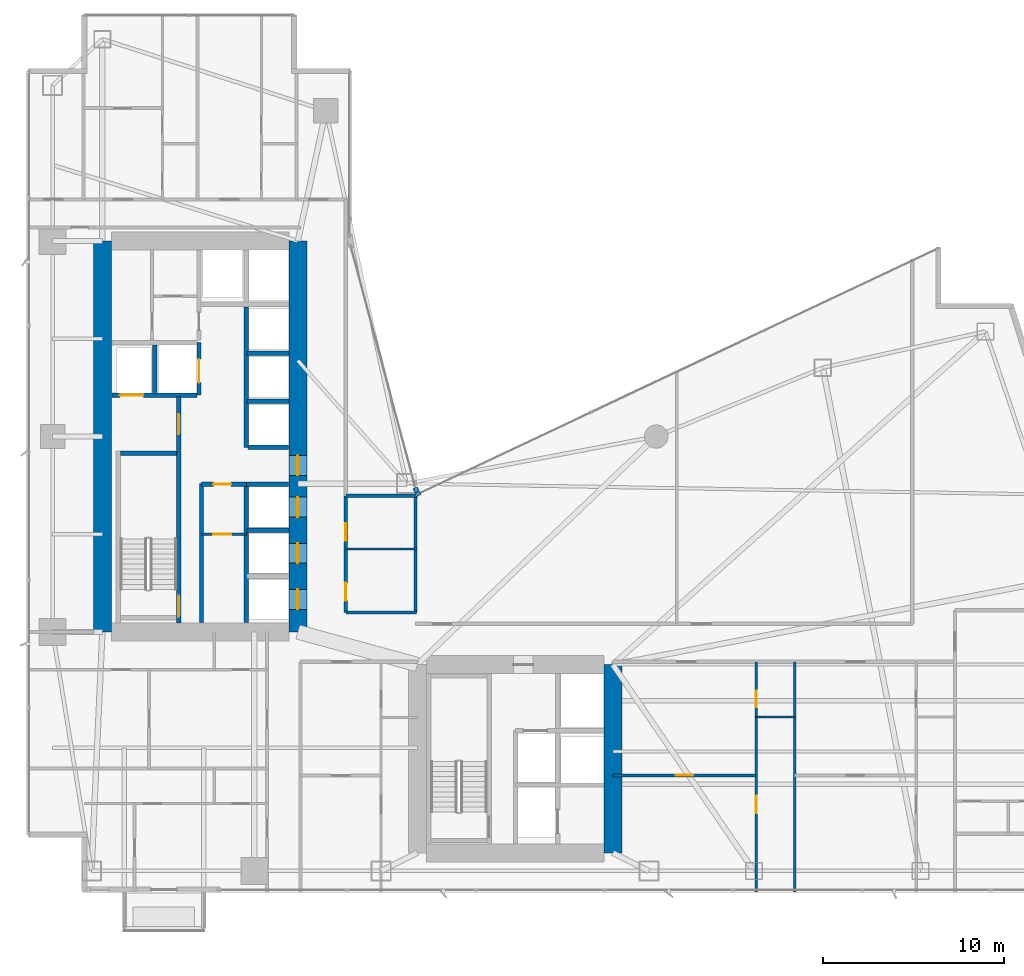
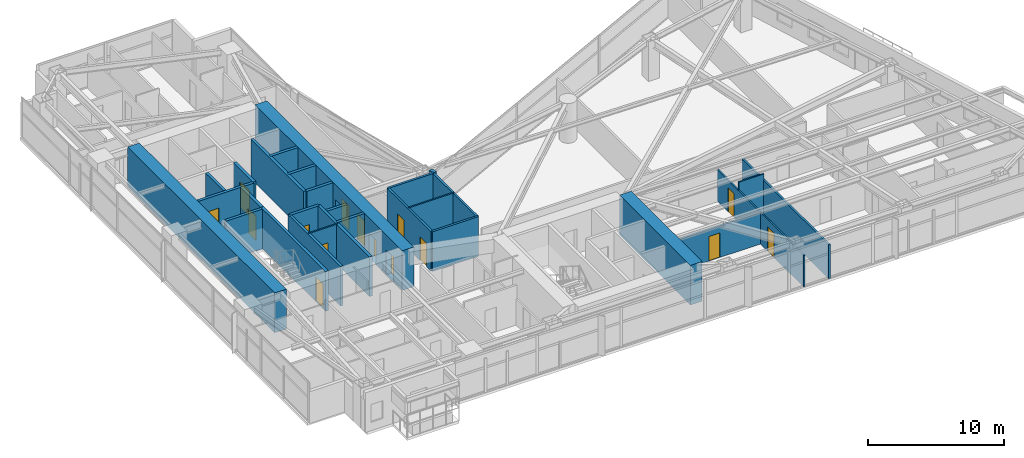
# One storey, part 23 of 29: 29 walls, 15 doors, 15 openings.
"""IFC4 building model written with IfcOpenShell, lengths in metres."""

from ifc_helpers import new_model, si_unit, direction, frame, frame_2d, origin, place, context, subcontext, project, spatial, rectangle, extrude, material, layer, layer_set, type_object, element, fill, save


model = new_model("IFC4")

# Units and contexts
model_context = context("Model", 3, precision=1e-05, world=origin(), true_north=direction((0.0, 1.0)))
body_context = subcontext(model_context, "Body", "Model", "MODEL_VIEW")
ifc_project = project(units=[si_unit("LENGTHUNIT", "METRE"), si_unit("AREAUNIT", "SQUARE_METRE"), si_unit("VOLUMEUNIT", "CUBIC_METRE"), si_unit("PLANEANGLEUNIT", "RADIAN"), si_unit("MASSUNIT", "GRAM", prefix="KILO")], contexts=[model_context])

# Site, building, storey
site_placement = place(None, origin())
site = spatial("IfcSite", under=ifc_project, at=site_placement, CompositionType="ELEMENT")
building_placement = place(site_placement, origin())
building = spatial("IfcBuilding", under=site, at=building_placement, Name="Calvorn Quay Hotel", CompositionType="ELEMENT")
storey_placement = place(building_placement, frame((0.0, 0.0, 69.800048828125)))
storey = spatial("IfcBuildingStorey", under=building, at=storey_placement, Name="L16", CompositionType="ELEMENT", Elevation=69.800048828125)

# Wall
ifc_material_1 = material(Name="Concrete C60", Category="concrete")
ifc_layer_1 = layer(ifc_material_1, 1.0)
ifc_layer_set_1 = layer_set([ifc_layer_1], Name="WL-CORE-1000")
wall_type_1 = type_object("IfcWallType", Name="WL-CORE-1000", PredefinedType="SHEAR", material=ifc_layer_set_1)
wall_1_placement = place(storey_placement, frame((4.199951171875, 16.800048828125, 0.0), z_axis=(0.0, 0.0, 1.0), x_axis=(0.0, 1.0, 0.0)))
element("IfcWall", 1, at=wall_1_placement, inside=storey, type_object=wall_type_1, Name="West Core Shear Wall W (L16)", PredefinedType="SHEAR", context=body_context, shape_type="SweptSolid", body=[
    extrude(rectangle(XDim=21.599853515625, YDim=1.0, at=frame_2d((10.7998046875, 0.0))), origin(), (0.0, 0.0, 1.0), 3.56005859375),
])

# Wall, openings, doors
wall_2_placement = place(storey_placement, frame((15.0, 16.800048828125, 0.0), z_axis=(0.0, 0.0, 1.0), x_axis=(0.0, 1.0, 0.0)))
wall_2 = element("IfcWall", 2, at=wall_2_placement, inside=storey, type_object=wall_type_1, Name="West Core Shear Wall E (L16)", PredefinedType="SHEAR", context=body_context, shape_type="SweptSolid", body=[
    extrude(rectangle(XDim=21.599853515625, YDim=1.0, at=frame_2d((10.7998046875, 0.0))), origin(), (0.0, 0.0, 1.0), 3.56005859375),
])
opening_1_placement = place(wall_2_placement, frame((8.64990234375, 0.0, 0.0)))
opening_1 = element("IfcOpeningElement", 3, at=opening_1_placement, cuts=wall_2, Name="Opening D-L16-CW1", PredefinedType="OPENING", context=body_context, shape_type="SweptSolid", body=[
    extrude(rectangle(XDim=1.10009765625, YDim=2.199951171875, at=frame_2d((0.550048828125, 1.10009765625))), frame((0.0, 0.510009765625, 0.0), z_axis=(0.0, -1.0, 0.0), x_axis=(1.0, 0.0, 0.0)), (0.0, 0.0, 1.0), 1.02001953125),
])
opening_2_placement = place(wall_2_placement, frame((1.25, 0.0, 0.0)))
opening_2 = element("IfcOpeningElement", 4, at=opening_2_placement, cuts=wall_2, Name="Opening LD-L16-L1", PredefinedType="OPENING", context=body_context, shape_type="SweptSolid", body=[
    extrude(rectangle(XDim=1.10009765625, YDim=2.199951171875, at=frame_2d((0.550048828125, 1.10009765625))), frame((0.0, 0.510009765625, 0.0), z_axis=(0.0, -1.0, 0.0), x_axis=(1.0, 0.0, 0.0)), (0.0, 0.0, 1.0), 1.02001953125),
])
opening_3_placement = place(wall_2_placement, frame((3.800048828125, 0.0, 0.0)))
opening_3 = element("IfcOpeningElement", 5, at=opening_3_placement, cuts=wall_2, Name="Opening LD-L16-L2", PredefinedType="OPENING", context=body_context, shape_type="SweptSolid", body=[
    extrude(rectangle(XDim=1.10009765625, YDim=2.199951171875, at=frame_2d((0.550048828125, 1.10009765625))), frame((0.0, 0.510009765625, 0.0), z_axis=(0.0, -1.0, 0.0), x_axis=(1.0, 0.0, 0.0)), (0.0, 0.0, 1.0), 1.02001953125),
])
opening_4_placement = place(wall_2_placement, frame((6.35009765625, 0.0, 0.0)))
opening_4 = element("IfcOpeningElement", 6, at=opening_4_placement, cuts=wall_2, Name="Opening LD-L16-L3", PredefinedType="OPENING", context=body_context, shape_type="SweptSolid", body=[
    extrude(rectangle(XDim=1.10009765625, YDim=2.199951171875, at=frame_2d((0.550048828125, 1.10009765625))), frame((0.0, 0.510009765625, 0.0), z_axis=(0.0, -1.0, 0.0), x_axis=(1.0, 0.0, 0.0)), (0.0, 0.0, 1.0), 1.02001953125),
])
ifc_material_2 = material(Name="Smoke-Sealed Steel Class A Fire Door", Category="steel")
door_type_1 = type_object("IfcDoorType", Name="DR-FFLOBBY-1100", OperationType="NOTDEFINED", PredefinedType="DOOR", material=ifc_material_2)
door_1_placement = place(opening_1_placement, origin())
door_1 = element("IfcDoor", 7, at=door_1_placement, inside=storey, type_object=door_type_1, Name="West Core Vestibule Fire Door (L16)", OperationType="SINGLE_SWING_LEFT", OverallHeight=2.199951171875, OverallWidth=1.10009765625, PredefinedType="DOOR", context=body_context, shape_type="SweptSolid", body=[
    extrude(rectangle(XDim=1.10009765625, YDim=2.199951171875, at=frame_2d((0.550048828125, 1.10009765625))), frame((0.0, 0.02490234375, 0.0), z_axis=(0.0, -1.0, 0.0), x_axis=(1.0, 0.0, 0.0)), (0.0, 0.0, 1.0), 0.050048828125),
])
fill(opening_1, door_1)
ifc_material_3 = material(Name="Brushed Stainless Steel Sliding Lift Landing Door", Category="steel")
door_type_2 = type_object("IfcDoorType", Name="DR-LIFT-PASS-1100", OperationType="NOTDEFINED", PredefinedType="DOOR", material=ifc_material_3)
door_2_placement = place(opening_2_placement, origin())
door_2 = element("IfcDoor", 8, at=door_2_placement, inside=storey, type_object=door_type_2, Name="Low-Rise Lift PL-L1 Landing Door (L16)", OperationType="DOUBLE_DOOR_SLIDING", OverallHeight=2.199951171875, OverallWidth=1.10009765625, PredefinedType="DOOR", context=body_context, shape_type="SweptSolid", body=[
    extrude(rectangle(XDim=1.10009765625, YDim=2.199951171875, at=frame_2d((0.550048828125, 1.10009765625))), frame((0.0, 0.02490234375, 0.0), z_axis=(0.0, -1.0, 0.0), x_axis=(1.0, 0.0, 0.0)), (0.0, 0.0, 1.0), 0.050048828125),
])
fill(opening_2, door_2)
door_3_placement = place(opening_3_placement, origin())
door_3 = element("IfcDoor", 9, at=door_3_placement, inside=storey, type_object=door_type_2, Name="Low-Rise Lift PL-L2 Landing Door (L16)", OperationType="DOUBLE_DOOR_SLIDING", OverallHeight=2.199951171875, OverallWidth=1.10009765625, PredefinedType="DOOR", context=body_context, shape_type="SweptSolid", body=[
    extrude(rectangle(XDim=1.10009765625, YDim=2.199951171875, at=frame_2d((0.550048828125, 1.10009765625))), frame((0.0, 0.02490234375, 0.0), z_axis=(0.0, -1.0, 0.0), x_axis=(1.0, 0.0, 0.0)), (0.0, 0.0, 1.0), 0.050048828125),
])
fill(opening_3, door_3)
door_4_placement = place(opening_4_placement, origin())
door_4 = element("IfcDoor", 10, at=door_4_placement, inside=storey, type_object=door_type_2, Name="Low-Rise Lift PL-L3 Landing Door (L16)", OperationType="DOUBLE_DOOR_SLIDING", OverallHeight=2.199951171875, OverallWidth=1.10009765625, PredefinedType="DOOR", context=body_context, shape_type="SweptSolid", body=[
    extrude(rectangle(XDim=1.10009765625, YDim=2.199951171875, at=frame_2d((0.550048828125, 1.10009765625))), frame((0.0, 0.02490234375, 0.0), z_axis=(0.0, -1.0, 0.0), x_axis=(1.0, 0.0, 0.0)), (0.0, 0.0, 1.0), 0.050048828125),
])
fill(opening_4, door_4)

# Walls
wall_3_placement = place(storey_placement, frame((32.39990234375, 4.60009765625, 0.0), z_axis=(0.0, 0.0, 1.0), x_axis=(0.0, 1.0, 0.0)))
element("IfcWall", 11, at=wall_3_placement, inside=storey, type_object=wall_type_1, Name="East Core Shear Wall E (L16)", PredefinedType="SHEAR", context=body_context, shape_type="SweptSolid", body=[
    extrude(rectangle(XDim=10.39990234375, YDim=1.0, at=frame_2d((5.199951171875, 0.0))), origin(), (0.0, 0.0, 1.0), 3.56005859375),
])
ifc_material_4 = material(Name="Acoustic Fireboard Steel-Stud Partition", Category="steel")
ifc_layer_2 = layer(ifc_material_4, 0.179931640625)
ifc_layer_set_2 = layer_set([ifc_layer_2], Name="WL-CORR-FIRE-180")
wall_type_2 = type_object("IfcWallType", Name="WL-CORR-FIRE-180", PredefinedType="PARTITIONING", material=ifc_layer_set_2)
wall_4_placement = place(storey_placement, frame((17.64990234375, 17.8798828125, 0.0), z_axis=(0.0, 0.0, 1.0), x_axis=(1.0, 0.0, 0.0)))
element("IfcWall", 12, at=wall_4_placement, inside=storey, type_object=wall_type_2, Name="Partition Wall L16-WL-HK-S", PredefinedType="PARTITIONING", context=body_context, shape_type="SweptSolid", body=[
    extrude(rectangle(XDim=3.900146484375, YDim=0.179931640625, at=frame_2d((1.9501953125, 0.0))), origin(), (0.0, 0.0, 1.0), 3.56005859375),
])
wall_5_placement = place(storey_placement, frame((17.64990234375, 24.320068359375, 0.0), z_axis=(0.0, 0.0, 1.0), x_axis=(1.0, 0.0, 0.0)))
element("IfcWall", 13, at=wall_5_placement, inside=storey, type_object=wall_type_2, Name="Partition Wall L16-WL-HK-N", PredefinedType="PARTITIONING", context=body_context, shape_type="SweptSolid", body=[
    extrude(rectangle(XDim=3.9501953125, YDim=0.179931640625, at=frame_2d((1.97509765625, 0.0))), origin(), (0.0, 0.0, 1.0), 3.56005859375),
])
wall_6_placement = place(storey_placement, frame((21.5, 17.8798828125, 0.0), z_axis=(0.0, 0.0, 1.0), x_axis=(0.0, 1.0, 0.0)))
element("IfcWall", 14, at=wall_6_placement, inside=storey, type_object=wall_type_2, Name="Partition Wall L16-WL-HK-E", PredefinedType="PARTITIONING", context=body_context, shape_type="SweptSolid", body=[
    extrude(rectangle(XDim=6.440185546875, YDim=0.179931640625, at=frame_2d((3.22021484375, 0.0))), origin(), (0.0, 0.0, 1.0), 3.56005859375),
])

# Wall, openings, doors
wall_7_placement = place(storey_placement, frame((17.64990234375, 17.8798828125, 0.0), z_axis=(0.0, 0.0, 1.0), x_axis=(0.0, 1.0, 0.0)))
wall_7 = element("IfcWall", 15, at=wall_7_placement, inside=storey, type_object=wall_type_2, Name="Partition Wall L16-WL-HK-W", PredefinedType="PARTITIONING", context=body_context, shape_type="SweptSolid", body=[
    extrude(rectangle(XDim=6.440185546875, YDim=0.179931640625, at=frame_2d((3.22021484375, 0.0))), origin(), (0.0, 0.0, 1.0), 3.56005859375),
])
opening_5_placement = place(wall_7_placement, frame((0.64990234375, 0.0, 0.0)))
opening_5 = element("IfcOpeningElement", 16, at=opening_5_placement, cuts=wall_7, Name="Opening D-L16-HK", PredefinedType="OPENING", context=body_context, shape_type="SweptSolid", body=[
    extrude(rectangle(XDim=0.97998046875, YDim=2.14990234375, at=frame_2d((0.489990234375, 1.074951171875))), frame((0.0, 0.099853515625, 0.0), z_axis=(0.0, -1.0, 0.0), x_axis=(1.0, 0.0, 0.0)), (0.0, 0.0, 1.0), 0.199951171875),
])
opening_6_placement = place(wall_7_placement, frame((3.969970703125, 0.0, 0.0)))
opening_6 = element("IfcOpeningElement", 17, at=opening_6_placement, cuts=wall_7, Name="Opening D-L16-NCP", PredefinedType="OPENING", context=body_context, shape_type="SweptSolid", body=[
    extrude(rectangle(XDim=0.9599609375, YDim=2.199951171875, at=frame_2d((0.47998046875, 1.10009765625))), frame((0.0, 0.099853515625, 0.0), z_axis=(0.0, -1.0, 0.0), x_axis=(1.0, 0.0, 0.0)), (0.0, 0.0, 1.0), 0.199951171875),
])
ifc_material_5 = material(Name="Painted Steel Housekeeping/Riser Fire Door", Category="steel")
door_type_3 = type_object("IfcDoorType", Name="DR-SERVICE-980", OperationType="NOTDEFINED", PredefinedType="DOOR", material=ifc_material_5)
door_5_placement = place(opening_5_placement, origin())
door_5 = element("IfcDoor", 18, at=door_5_placement, inside=storey, type_object=door_type_3, Name="Floor Housekeeping Door (L16)", OperationType="SINGLE_SWING_LEFT", OverallHeight=2.14990234375, OverallWidth=0.97998046875, PredefinedType="DOOR", context=body_context, shape_type="SweptSolid", body=[
    extrude(rectangle(XDim=0.97998046875, YDim=2.14990234375, at=frame_2d((0.489990234375, 1.074951171875))), frame((0.0, 0.02490234375, 0.0), z_axis=(0.0, -1.0, 0.0), x_axis=(1.0, 0.0, 0.0)), (0.0, 0.0, 1.0), 0.050048828125),
])
fill(opening_5, door_5)
ifc_material_6 = material(Name="Solid Timber Internal Suite Door", Category="wood")
door_type_4 = type_object("IfcDoorType", Name="DR-SUITE-INT-960", OperationType="NOTDEFINED", PredefinedType="DOOR", material=ifc_material_6)
door_6_placement = place(opening_6_placement, origin())
door_6 = element("IfcDoor", 19, at=door_6_placement, inside=storey, type_object=door_type_4, Name="Reading Alcove Door (L16)", OperationType="SINGLE_SWING_RIGHT", OverallHeight=2.199951171875, OverallWidth=0.9599609375, PredefinedType="DOOR", context=body_context, shape_type="SweptSolid", body=[
    extrude(rectangle(XDim=0.9599609375, YDim=2.199951171875, at=frame_2d((0.47998046875, 1.10009765625))), frame((0.0, 0.02490234375, 0.0), z_axis=(0.0, -1.0, 0.0), x_axis=(1.0, 0.0, 0.0)), (0.0, 0.0, 1.0), 0.050048828125),
])
fill(opening_6, door_6)

# Wall, opening, door
ifc_material_7 = material(Name="Moisture-Resistant Tile-Backed Partition")
ifc_layer_3 = layer(ifc_material_7, 0.125)
ifc_layer_set_3 = layer_set([ifc_layer_3], Name="WL-ENSUITE-125")
wall_type_3 = type_object("IfcWallType", Name="WL-ENSUITE-125", PredefinedType="PARTITIONING", material=ifc_layer_set_3)
wall_8_placement = place(storey_placement, frame((9.679931640625, 22.199951171875, 0.0), z_axis=(0.0, 0.0, 1.0), x_axis=(1.0, 0.0, 0.0)))
wall_8 = element("IfcWall", 20, at=wall_8_placement, inside=storey, type_object=wall_type_3, Name="Partition Wall L16-WL-CWW-SER-V", PredefinedType="PARTITIONING", context=body_context, shape_type="SweptSolid", body=[
    extrude(rectangle(XDim=2.469970703125, YDim=0.125, at=frame_2d((1.23486328125, 0.0))), origin(), (0.0, 0.0, 1.0), 3.56005859375),
])
opening_7_placement = place(wall_8_placement, frame((0.64990234375, 0.0, 0.0)))
opening_7 = element("IfcOpeningElement", 21, at=opening_7_placement, cuts=wall_8, Name="Opening D-L16-CSV", PredefinedType="OPENING", context=body_context, shape_type="SweptSolid", body=[
    extrude(rectangle(XDim=0.97998046875, YDim=2.14990234375, at=frame_2d((0.489990234375, 1.074951171875))), frame((0.0, 0.072509765625, 0.0), z_axis=(0.0, -1.0, 0.0), x_axis=(1.0, 0.0, 0.0)), (0.0, 0.0, 1.0), 0.14501953125),
])
door_7_placement = place(opening_7_placement, origin())
door_7 = element("IfcDoor", 22, at=door_7_placement, inside=storey, type_object=door_type_3, Name="Core Linen Closet Door (L16)", OperationType="SINGLE_SWING_RIGHT", OverallHeight=2.14990234375, OverallWidth=0.97998046875, PredefinedType="DOOR", context=body_context, shape_type="SweptSolid", body=[
    extrude(rectangle(XDim=0.97998046875, YDim=2.14990234375, at=frame_2d((0.489990234375, 1.074951171875))), frame((0.0, 0.02490234375, 0.0), z_axis=(0.0, -1.0, 0.0), x_axis=(1.0, 0.0, 0.0)), (0.0, 0.0, 1.0), 0.050048828125),
])
fill(opening_7, door_7)

# Walls
wall_9_placement = place(storey_placement, frame((17.64990234375, 21.3798828125, 0.0), z_axis=(0.0, 0.0, 1.0), x_axis=(1.0, 0.0, 0.0)))
element("IfcWall", 23, at=wall_9_placement, inside=storey, type_object=wall_type_3, Name="Partition Wall L16-WL-HK-M", PredefinedType="PARTITIONING", context=body_context, shape_type="SweptSolid", body=[
    extrude(rectangle(XDim=3.900146484375, YDim=0.125, at=frame_2d((1.9501953125, 0.0))), origin(), (0.0, 0.0, 1.0), 3.56005859375),
])
wall_10_placement = place(storey_placement, frame((40.320068359375, 12.10009765625, 0.0), z_axis=(0.0, 0.0, 1.0), x_axis=(1.0, 0.0, 0.0)))
element("IfcWall", 24, at=wall_10_placement, inside=storey, type_object=wall_type_3, Name="Partition Wall L16-WL-U06-BDV", PredefinedType="PARTITIONING", context=body_context, shape_type="SweptSolid", body=[
    extrude(rectangle(XDim=2.1298828125, YDim=0.125, at=frame_2d((1.06494140625, 0.0))), origin(), (0.0, 0.0, 1.0), 3.56005859375),
])

# Wall, openings, doors
wall_11_placement = place(storey_placement, frame((40.320068359375, 2.43994140625, 0.0), z_axis=(0.0, 0.0, 1.0), x_axis=(0.0, 1.0, 0.0)))
wall_11 = element("IfcWall", 25, at=wall_11_placement, inside=storey, type_object=wall_type_3, Name="Partition Wall L16-WL-U06-BV", PredefinedType="PARTITIONING", context=body_context, shape_type="SweptSolid", body=[
    extrude(rectangle(XDim=12.7099609375, YDim=0.125, at=frame_2d((6.35498046875, 0.0))), origin(), (0.0, 0.0, 1.0), 2.83984375),
])
opening_8_placement = place(wall_11_placement, frame((4.35009765625, 0.0, 0.0)))
opening_8 = element("IfcOpeningElement", 26, at=opening_8_placement, cuts=wall_11, Name="Opening D-L16-S06", PredefinedType="OPENING", context=body_context, shape_type="SweptSolid", body=[
    extrude(rectangle(XDim=0.9599609375, YDim=2.199951171875, at=frame_2d((0.47998046875, 1.10009765625))), frame((0.0, 0.072509765625, 0.0), z_axis=(0.0, -1.0, 0.0), x_axis=(1.0, 0.0, 0.0)), (0.0, 0.0, 1.0), 0.14501953125),
])
opening_9_placement = place(wall_11_placement, frame((10.2099609375, 0.0, 0.0)))
opening_9 = element("IfcOpeningElement", 27, at=opening_9_placement, cuts=wall_11, Name="Opening D-L16-E06", PredefinedType="OPENING", context=body_context, shape_type="SweptSolid", body=[
    extrude(rectangle(XDim=0.89990234375, YDim=2.14990234375, at=frame_2d((0.449951171875, 1.074951171875))), frame((0.0, 0.072509765625, 0.0), z_axis=(0.0, -1.0, 0.0), x_axis=(1.0, 0.0, 0.0)), (0.0, 0.0, 1.0), 0.14501953125),
])
ifc_material_8 = material(Name="Moisture-Sealed Timber En-Suite Door", Category="wood")
door_type_5 = type_object("IfcDoorType", Name="DR-ENSUITE-900", OperationType="NOTDEFINED", PredefinedType="DOOR", material=ifc_material_8)
door_8_placement = place(opening_9_placement, origin())
door_8 = element("IfcDoor", 28, at=door_8_placement, inside=storey, type_object=door_type_5, Name="En-Suite Door 06", OperationType="SINGLE_SWING_RIGHT", OverallHeight=2.14990234375, OverallWidth=0.89990234375, PredefinedType="DOOR", context=body_context, shape_type="SweptSolid", body=[
    extrude(rectangle(XDim=0.89990234375, YDim=2.14990234375, at=frame_2d((0.449951171875, 1.074951171875))), frame((0.0, 0.02490234375, 0.0), z_axis=(0.0, -1.0, 0.0), x_axis=(1.0, 0.0, 0.0)), (0.0, 0.0, 1.0), 0.050048828125),
])
fill(opening_9, door_8)
door_9_placement = place(opening_8_placement, origin())
door_9 = element("IfcDoor", 29, at=door_9_placement, inside=storey, type_object=door_type_4, Name="Spa Therapy Room Door 06", OperationType="SINGLE_SWING_LEFT", OverallHeight=2.199951171875, OverallWidth=0.9599609375, PredefinedType="DOOR", context=body_context, shape_type="SweptSolid", body=[
    extrude(rectangle(XDim=0.9599609375, YDim=2.199951171875, at=frame_2d((0.47998046875, 1.10009765625))), frame((0.0, 0.02490234375, 0.0), z_axis=(0.0, -1.0, 0.0), x_axis=(1.0, 0.0, 0.0)), (0.0, 0.0, 1.0), 0.050048828125),
])
fill(opening_8, door_9)

# Wall
ifc_material_9 = material(Name="Concrete C40", Category="concrete")
ifc_layer_4 = layer(ifc_material_9, 0.320068359375)
ifc_layer_set_4 = layer_set([ifc_layer_4], Name="WL-EXT-SPANDREL-320")
wall_type_4 = type_object("IfcWallType", Name="WL-EXT-SPANDREL-320", PredefinedType="SOLIDWALL", material=ifc_layer_set_4)
wall_12_placement = place(storey_placement, frame((21.679931640625, 24.340087890625, 0.0), z_axis=(0.0, 0.0, 1.0), x_axis=(-0.40758134973, 0.913168901875, 0.0)))
element("IfcWall", 30, at=wall_12_placement, inside=storey, type_object=wall_type_4, Name="Inner Court Corner Pier L16-ICJ1", PredefinedType="SOLIDWALL", context=body_context, shape_type="SweptSolid", body=[
    extrude(rectangle(XDim=0.470703125, YDim=0.280029296875, at=frame_2d((0.2353515625, 0.0))), origin(), (0.0, 0.0, 1.0), 3.56005859375),
])

# Wall, opening, door
ifc_material_10 = material(Name="Double-Stud Acoustic Gypsum Partition")
ifc_layer_5 = layer(ifc_material_10, 0.159912109375)
ifc_layer_set_5 = layer_set([ifc_layer_5], Name="WL-INTERSUITE-160")
wall_type_5 = type_object("IfcWallType", Name="WL-INTERSUITE-160", PredefinedType="PARTITIONING", material=ifc_layer_set_5)
wall_13_placement = place(storey_placement, frame((32.39990234375, 8.8798828125, 0.0), z_axis=(0.0, 0.0, 1.0), x_axis=(1.0, 0.0, 0.0)))
wall_13 = element("IfcWall", 31, at=wall_13_placement, inside=storey, type_object=wall_type_5, Name="Partition Wall L16-WL-U06-MSP", PredefinedType="PARTITIONING", context=body_context, shape_type="SweptSolid", body=[
    extrude(rectangle(XDim=7.920166015625, YDim=0.159912109375, at=frame_2d((3.9599609375, 0.0))), origin(), (0.0, 0.0, 1.0), 2.83984375),
])
opening_10_placement = place(wall_13_placement, frame((3.47998046875, 0.0, 0.0)))
opening_10 = element("IfcOpeningElement", 32, at=opening_10_placement, cuts=wall_13, Name="Opening D-L16-M06", PredefinedType="OPENING", context=body_context, shape_type="SweptSolid", body=[
    extrude(rectangle(XDim=0.9599609375, YDim=2.199951171875, at=frame_2d((0.47998046875, 1.10009765625))), frame((0.0, 0.08984375, 0.0), z_axis=(0.0, -1.0, 0.0), x_axis=(1.0, 0.0, 0.0)), (0.0, 0.0, 1.0), 0.179931640625),
])
door_10_placement = place(opening_10_placement, origin())
door_10 = element("IfcDoor", 33, at=door_10_placement, inside=storey, type_object=door_type_4, Name="Suite Bedroom Door 06", OperationType="SINGLE_SWING_LEFT", OverallHeight=2.199951171875, OverallWidth=0.9599609375, PredefinedType="DOOR", context=body_context, shape_type="SweptSolid", body=[
    extrude(rectangle(XDim=0.9599609375, YDim=2.199951171875, at=frame_2d((0.47998046875, 1.10009765625))), frame((0.0, 0.02490234375, 0.0), z_axis=(0.0, -1.0, 0.0), x_axis=(1.0, 0.0, 0.0)), (0.0, 0.0, 1.0), 0.050048828125),
])
fill(opening_10, door_10)

# Walls
wall_14_placement = place(storey_placement, frame((42.449951171875, 2.43994140625, 0.0), z_axis=(0.0, 0.0, 1.0), x_axis=(0.0, 1.0, 0.0)))
element("IfcWall", 34, at=wall_14_placement, inside=storey, type_object=wall_type_5, Name="Partition Wall L16-WL-SE-DIV-1", PredefinedType="PARTITIONING", context=body_context, shape_type="SweptSolid", body=[
    extrude(rectangle(XDim=12.7099609375, YDim=0.159912109375, at=frame_2d((6.35498046875, 0.0))), origin(), (0.0, 0.0, 1.0), 3.0400390625),
])
ifc_material_11 = material(Name="Autoclaved Aerated Masonry Block", Category="masonry")
ifc_layer_6 = layer(ifc_material_11, 0.219970703125)
ifc_layer_set_6 = layer_set([ifc_layer_6], Name="WL-LOBBY-FIRE-220")
wall_type_6 = type_object("IfcWallType", Name="WL-LOBBY-FIRE-220", PredefinedType="SOLIDWALL", material=ifc_layer_set_6)
wall_15_placement = place(storey_placement, frame((9.679931640625, 17.320068359375, 0.0), z_axis=(0.0, 0.0, 1.0), x_axis=(0.0, 1.0, 0.0)))
element("IfcWall", 35, at=wall_15_placement, inside=storey, type_object=wall_type_6, Name="Partition Wall L16-WL-CWW-STW-HALL-E", PredefinedType="SOLIDWALL", context=body_context, shape_type="SweptSolid", body=[
    extrude(rectangle(XDim=7.679931640625, YDim=0.219970703125, at=frame_2d((3.83984375, 0.0))), origin(), (0.0, 0.0, 1.0), 3.56005859375),
])

# Wall, opening, door
ifc_material_12 = material(Name="Concrete C40", Category="concrete")
ifc_layer_7 = layer(ifc_material_12, 0.239990234375)
ifc_layer_set_7 = layer_set([ifc_layer_7], Name="WL-SHAFT-240")
wall_type_7 = type_object("IfcWallType", Name="WL-SHAFT-240", PredefinedType="SOLIDWALL", material=ifc_layer_set_7)
wall_16_placement = place(storey_placement, frame((8.419921875, 17.300048828125, 0.0), z_axis=(0.0, 0.0, 1.0), x_axis=(0.0, 1.0, 0.0)))
wall_16 = element("IfcWall", 36, at=wall_16_placement, inside=storey, type_object=wall_type_7, Name="Stair STW Shaft Wall E (L16)", PredefinedType="SOLIDWALL", context=body_context, shape_type="SweptSolid", body=[
    extrude(rectangle(XDim=9.489990234375, YDim=0.239990234375, at=frame_2d((4.7451171875, 0.0))), origin(), (0.0, 0.0, 1.0), 3.56005859375),
])
opening_11_placement = place(wall_16_placement, frame((0.35009765625, 0.0, 0.0)))
opening_11 = element("IfcOpeningElement", 37, at=opening_11_placement, cuts=wall_16, Name="Opening D-L16-STW", PredefinedType="OPENING", context=body_context, shape_type="SweptSolid", body=[
    extrude(rectangle(XDim=1.14990234375, YDim=2.199951171875, at=frame_2d((0.574951171875, 1.10009765625))), frame((0.0, 0.1298828125, 0.0), z_axis=(0.0, -1.0, 0.0), x_axis=(1.0, 0.0, 0.0)), (0.0, 0.0, 1.0), 0.260009765625),
])
ifc_material_13 = material(Name="Galvanised Steel Class A Fire Door", Category="steel")
door_type_6 = type_object("IfcDoorType", Name="DR-STAIR-SMOKE-1150", OperationType="NOTDEFINED", PredefinedType="DOOR", material=ifc_material_13)
door_11_placement = place(opening_11_placement, origin())
door_11 = element("IfcDoor", 38, at=door_11_placement, inside=storey, type_object=door_type_6, Name="Stair ST-W Fire Door (L16)", OperationType="SINGLE_SWING_LEFT", OverallHeight=2.199951171875, OverallWidth=1.14990234375, PredefinedType="DOOR", context=body_context, shape_type="SweptSolid", body=[
    extrude(rectangle(XDim=1.14990234375, YDim=2.199951171875, at=frame_2d((0.574951171875, 1.10009765625))), frame((0.0, 0.02490234375, 0.0), z_axis=(0.0, -1.0, 0.0), x_axis=(1.0, 0.0, 0.0)), (0.0, 0.0, 1.0), 0.050048828125),
])
fill(opening_11, door_11)

# Walls
wall_17_placement = place(storey_placement, frame((5.199951171875, 26.669921875, 0.0), z_axis=(0.0, 0.0, 1.0), x_axis=(1.0, 0.0, 0.0)))
element("IfcWall", 39, at=wall_17_placement, inside=storey, type_object=wall_type_7, Name="Stair STW Shaft Wall N (L16)", PredefinedType="SOLIDWALL", context=body_context, shape_type="SweptSolid", body=[
    extrude(rectangle(XDim=3.10009765625, YDim=0.239990234375, at=frame_2d((1.550048828125, 0.0))), origin(), (0.0, 0.0, 1.0), 3.56005859375),
])
for number, where, z_axis, x_axis, name in (
    (40, (12.179931640625, 22.425048828125, 0.0), (0.0, 0.0, 1.0), (1.0, 0.0, 0.0), "Lift Hoistway Divider Wall PLL23 (L16)"),
    (41, (12.179931640625, 29.550048828125, 0.0), (0.0, 0.0, 1.0), (1.0, 0.0, 0.0), "Lift Hoistway Divider Wall PLM12 (L16)"),
    (42, (12.179931640625, 32.199951171875, 0.0), (0.0, 0.0, 1.0), (1.0, 0.0, 0.0), "Lift Hoistway Divider Wall PLM23 (L16)"),
):
    element("IfcWall", number, at=place(storey_placement, frame(where, z_axis=z_axis, x_axis=x_axis)), inside=storey, type_object=wall_type_7, Name=name, PredefinedType="SOLIDWALL", context=body_context, shape_type="SweptSolid", body=[
        extrude(rectangle(XDim=2.320068359375, YDim=0.239990234375, at=frame_2d((1.16015625, 0.0))), origin(), (0.0, 0.0, 1.0), 3.56005859375),
    ])

# Wall, opening, door
wall_18_placement = place(storey_placement, frame((8.419921875, 26.820068359375, 0.0), z_axis=(0.0, 0.0, 1.0), x_axis=(0.0, 1.0, 0.0)))
wall_18 = element("IfcWall", 43, at=wall_18_placement, inside=storey, type_object=wall_type_7, Name="Partition Wall L16-WL-CWW-FFL-E", PredefinedType="SOLIDWALL", context=body_context, shape_type="SweptSolid", body=[
    extrude(rectangle(XDim=3.0, YDim=0.239990234375, at=frame_2d((1.5, 0.0))), origin(), (0.0, 0.0, 1.0), 3.56005859375),
])
opening_12_placement = place(wall_18_placement, frame((0.89990234375, 0.0, 0.0)))
opening_12 = element("IfcOpeningElement", 44, at=opening_12_placement, cuts=wall_18, Name="Opening D-L16-FLW", PredefinedType="OPENING", context=body_context, shape_type="SweptSolid", body=[
    extrude(rectangle(XDim=1.10009765625, YDim=2.199951171875, at=frame_2d((0.550048828125, 1.10009765625))), frame((0.0, 0.1298828125, 0.0), z_axis=(0.0, -1.0, 0.0), x_axis=(1.0, 0.0, 0.0)), (0.0, 0.0, 1.0), 0.260009765625),
])
door_12_placement = place(opening_12_placement, origin())
door_12 = element("IfcDoor", 45, at=door_12_placement, inside=storey, type_object=door_type_1, Name="West Firefighting Lobby Fire Door (L16)", OperationType="SINGLE_SWING_RIGHT", OverallHeight=2.199951171875, OverallWidth=1.10009765625, PredefinedType="DOOR", context=body_context, shape_type="SweptSolid", body=[
    extrude(rectangle(XDim=1.10009765625, YDim=2.199951171875, at=frame_2d((0.550048828125, 1.10009765625))), frame((0.0, 0.02490234375, 0.0), z_axis=(0.0, -1.0, 0.0), x_axis=(1.0, 0.0, 0.0)), (0.0, 0.0, 1.0), 0.050048828125),
])
fill(opening_12, door_12)

wall_19_placement = place(storey_placement, frame((4.719970703125, 29.8798828125, 0.0), z_axis=(0.0, 0.0, 1.0), x_axis=(1.0, 0.0, 0.0)))
wall_19 = element("IfcWall", 46, at=wall_19_placement, inside=storey, type_object=wall_type_7, Name="Partition Wall L16-WL-CWW-FLW-S", PredefinedType="SOLIDWALL", context=body_context, shape_type="SweptSolid", body=[
    extrude(rectangle(XDim=4.699951171875, YDim=0.239990234375, at=frame_2d((2.35009765625, 0.0))), origin(), (0.0, 0.0, 1.0), 3.56005859375),
])
opening_13_placement = place(wall_19_placement, frame((0.449951171875, 0.0, 0.0)))
opening_13 = element("IfcOpeningElement", 47, at=opening_13_placement, cuts=wall_19, Name="Opening LD-L16-FLW1", PredefinedType="OPENING", context=body_context, shape_type="SweptSolid", body=[
    extrude(rectangle(XDim=1.300048828125, YDim=2.35009765625, at=frame_2d((0.64990234375, 1.175048828125))), frame((0.0, 0.1298828125, 0.0), z_axis=(0.0, -1.0, 0.0), x_axis=(1.0, 0.0, 0.0)), (0.0, 0.0, 1.0), 0.260009765625),
])
ifc_material_14 = material(Name="Champagne-Bronze Sliding Express Lift Landing Door")
door_type_7 = type_object("IfcDoorType", Name="DR-LIFT-SHUTTLE-1300", OperationType="NOTDEFINED", PredefinedType="DOOR", material=ifc_material_14)
door_13_placement = place(opening_13_placement, origin())
door_13 = element("IfcDoor", 48, at=door_13_placement, inside=storey, type_object=door_type_7, Name="Firefighting Lift FL-W1 Landing Door (L16)", OperationType="DOUBLE_DOOR_SLIDING", OverallHeight=2.35009765625, OverallWidth=1.300048828125, PredefinedType="DOOR", context=body_context, shape_type="SweptSolid", body=[
    extrude(rectangle(XDim=1.300048828125, YDim=2.35009765625, at=frame_2d((0.64990234375, 1.175048828125))), frame((0.0, 0.02490234375, 0.0), z_axis=(0.0, -1.0, 0.0), x_axis=(1.0, 0.0, 0.0)), (0.0, 0.0, 1.0), 0.050048828125),
])
fill(opening_13, door_13)

# Wall
wall_20_placement = place(storey_placement, frame((7.10009765625, 30.02001953125, 0.0), z_axis=(0.0, 0.0, 1.0), x_axis=(0.0, 1.0, 0.0)))
element("IfcWall", 49, at=wall_20_placement, inside=storey, type_object=wall_type_7, Name="Partition Wall L16-WL-CWW-FLW-DIV", PredefinedType="SOLIDWALL", context=body_context, shape_type="SweptSolid", body=[
    extrude(rectangle(XDim=2.6298828125, YDim=0.239990234375, at=frame_2d((1.31494140625, 0.0))), origin(), (0.0, 0.0, 1.0), 3.56005859375),
])

# Wall, opening, door
wall_21_placement = place(storey_placement, frame((9.5400390625, 29.8798828125, 0.0), z_axis=(0.0, 0.0, 1.0), x_axis=(0.0, 1.0, 0.0)))
wall_21 = element("IfcWall", 50, at=wall_21_placement, inside=storey, type_object=wall_type_7, Name="Partition Wall L16-WL-CWW-SLW-E", PredefinedType="SOLIDWALL", context=body_context, shape_type="SweptSolid", body=[
    extrude(rectangle(XDim=2.900146484375, YDim=0.239990234375, at=frame_2d((1.4501953125, 0.0))), origin(), (0.0, 0.0, 1.0), 3.56005859375),
])
opening_14_placement = place(wall_21_placement, frame((0.699951171875, 0.0, 0.0)))
opening_14 = element("IfcOpeningElement", 51, at=opening_14_placement, cuts=wall_21, Name="Opening LD-L16-SLW1", PredefinedType="OPENING", context=body_context, shape_type="SweptSolid", body=[
    extrude(rectangle(XDim=1.300048828125, YDim=2.35009765625, at=frame_2d((0.64990234375, 1.175048828125))), frame((0.0, 0.1298828125, 0.0), z_axis=(0.0, -1.0, 0.0), x_axis=(1.0, 0.0, 0.0)), (0.0, 0.0, 1.0), 0.260009765625),
])
door_14_placement = place(opening_14_placement, origin())
door_14 = element("IfcDoor", 52, at=door_14_placement, inside=storey, type_object=door_type_7, Name="Service Lift SL-W1 Landing Door (L16)", OperationType="DOUBLE_DOOR_SLIDING", OverallHeight=2.35009765625, OverallWidth=1.300048828125, PredefinedType="DOOR", context=body_context, shape_type="SweptSolid", body=[
    extrude(rectangle(XDim=1.300048828125, YDim=2.35009765625, at=frame_2d((0.64990234375, 1.175048828125))), frame((0.0, 0.02490234375, 0.0), z_axis=(0.0, -1.0, 0.0), x_axis=(1.0, 0.0, 0.0)), (0.0, 0.0, 1.0), 0.050048828125),
])
fill(opening_14, door_14)

# Wall
wall_22_placement = place(storey_placement, frame((12.14990234375, 17.320068359375, 0.0), z_axis=(0.0, 0.0, 1.0), x_axis=(0.0, 1.0, 0.0)))
element("IfcWall", 53, at=wall_22_placement, inside=storey, type_object=wall_type_7, Name="Partition Wall L16-WL-CWW-PLL-W", PredefinedType="SOLIDWALL", context=body_context, shape_type="SweptSolid", body=[
    extrude(rectangle(XDim=7.64990234375, YDim=0.239990234375, at=frame_2d((3.824951171875, 0.0))), origin(), (0.0, 0.0, 1.0), 3.56005859375),
])

# Wall, opening, door
wall_23_placement = place(storey_placement, frame((9.679931640625, 24.969970703125, 0.0), z_axis=(0.0, 0.0, 1.0), x_axis=(1.0, 0.0, 0.0)))
wall_23 = element("IfcWall", 54, at=wall_23_placement, inside=storey, type_object=wall_type_7, Name="Partition Wall L16-WL-CWW-SER-N", PredefinedType="SOLIDWALL", context=body_context, shape_type="SweptSolid", body=[
    extrude(rectangle(XDim=2.469970703125, YDim=0.239990234375, at=frame_2d((1.23486328125, 0.0))), origin(), (0.0, 0.0, 1.0), 3.56005859375),
])
opening_15_placement = place(wall_23_placement, frame((0.64990234375, 0.0, 0.0)))
opening_15 = element("IfcOpeningElement", 55, at=opening_15_placement, cuts=wall_23, Name="Opening D-L16-CSR", PredefinedType="OPENING", context=body_context, shape_type="SweptSolid", body=[
    extrude(rectangle(XDim=0.97998046875, YDim=2.14990234375, at=frame_2d((0.489990234375, 1.074951171875))), frame((0.0, 0.1298828125, 0.0), z_axis=(0.0, -1.0, 0.0), x_axis=(1.0, 0.0, 0.0)), (0.0, 0.0, 1.0), 0.260009765625),
])
door_15_placement = place(opening_15_placement, origin())
door_15 = element("IfcDoor", 56, at=door_15_placement, inside=storey, type_object=door_type_3, Name="Core Service Closet Door (L16)", OperationType="SINGLE_SWING_LEFT", OverallHeight=2.14990234375, OverallWidth=0.97998046875, PredefinedType="DOOR", context=body_context, shape_type="SweptSolid", body=[
    extrude(rectangle(XDim=0.97998046875, YDim=2.14990234375, at=frame_2d((0.489990234375, 1.074951171875))), frame((0.0, 0.02490234375, 0.0), z_axis=(0.0, -1.0, 0.0), x_axis=(1.0, 0.0, 0.0)), (0.0, 0.0, 1.0), 0.050048828125),
])
fill(opening_15, door_15)

# Walls
wall_24_placement = place(storey_placement, frame((12.14990234375, 24.969970703125, 0.0), z_axis=(0.0, 0.0, 1.0), x_axis=(1.0, 0.0, 0.0)))
element("IfcWall", 57, at=wall_24_placement, inside=storey, type_object=wall_type_7, Name="Partition Wall L16-WL-CWW-PLL-SHN", PredefinedType="SOLIDWALL", context=body_context, shape_type="SweptSolid", body=[
    extrude(rectangle(XDim=2.330078125, YDim=0.239990234375, at=frame_2d((1.1650390625, 0.0))), origin(), (0.0, 0.0, 1.0), 2.83984375),
])
wall_25_placement = place(storey_placement, frame((12.25, 27.0, 0.0), z_axis=(0.0, 0.0, 1.0), x_axis=(1.0, 0.0, 0.0)))
element("IfcWall", 58, at=wall_25_placement, inside=storey, type_object=wall_type_7, Name="Partition Wall L16-WL-CWW-PLM-S", PredefinedType="SOLIDWALL", context=body_context, shape_type="SweptSolid", body=[
    extrude(rectangle(XDim=2.22998046875, YDim=0.239990234375, at=frame_2d((1.114990234375, 0.0))), origin(), (0.0, 0.0, 1.0), 3.56005859375),
])
wall_26_placement = place(storey_placement, frame((12.14990234375, 27.0, 0.0), z_axis=(0.0, 0.0, 1.0), x_axis=(0.0, 1.0, 0.0)))
element("IfcWall", 59, at=wall_26_placement, inside=storey, type_object=wall_type_7, Name="Partition Wall L16-WL-CWW-PLM-W", PredefinedType="SOLIDWALL", context=body_context, shape_type="SweptSolid", body=[
    extrude(rectangle(XDim=7.75, YDim=0.239990234375, at=frame_2d((3.875, 0.0))), origin(), (0.0, 0.0, 1.0), 3.56005859375),
])

save(model, "model.ifc")
